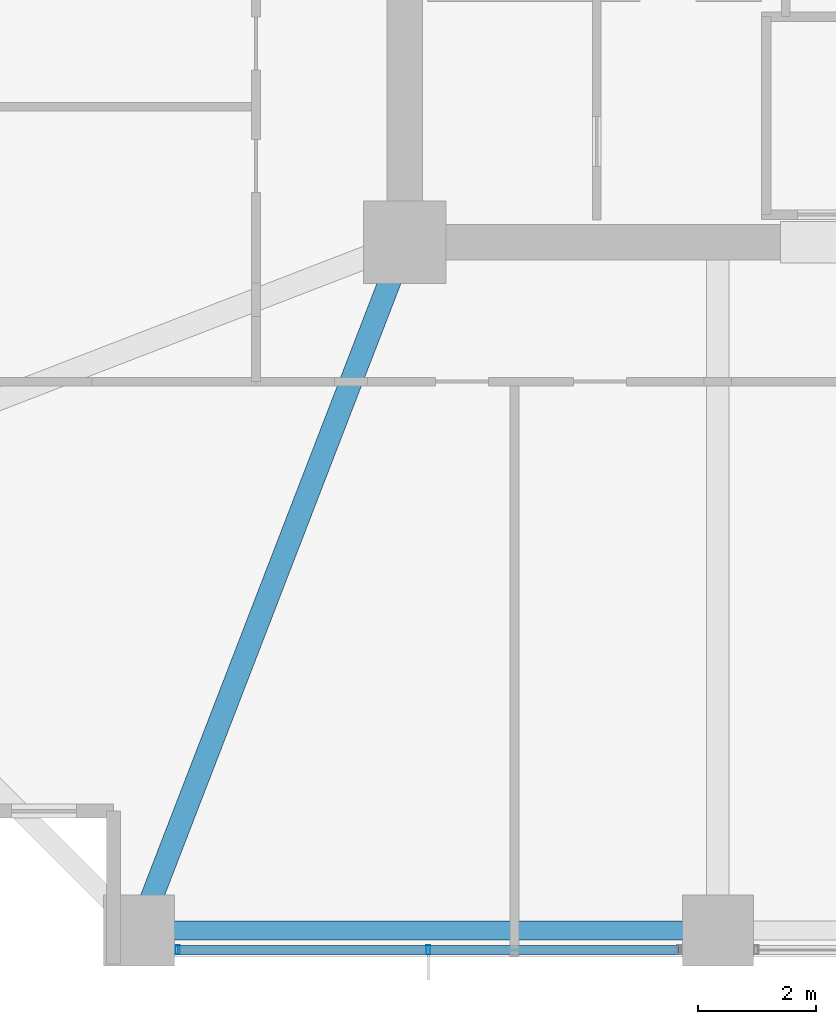
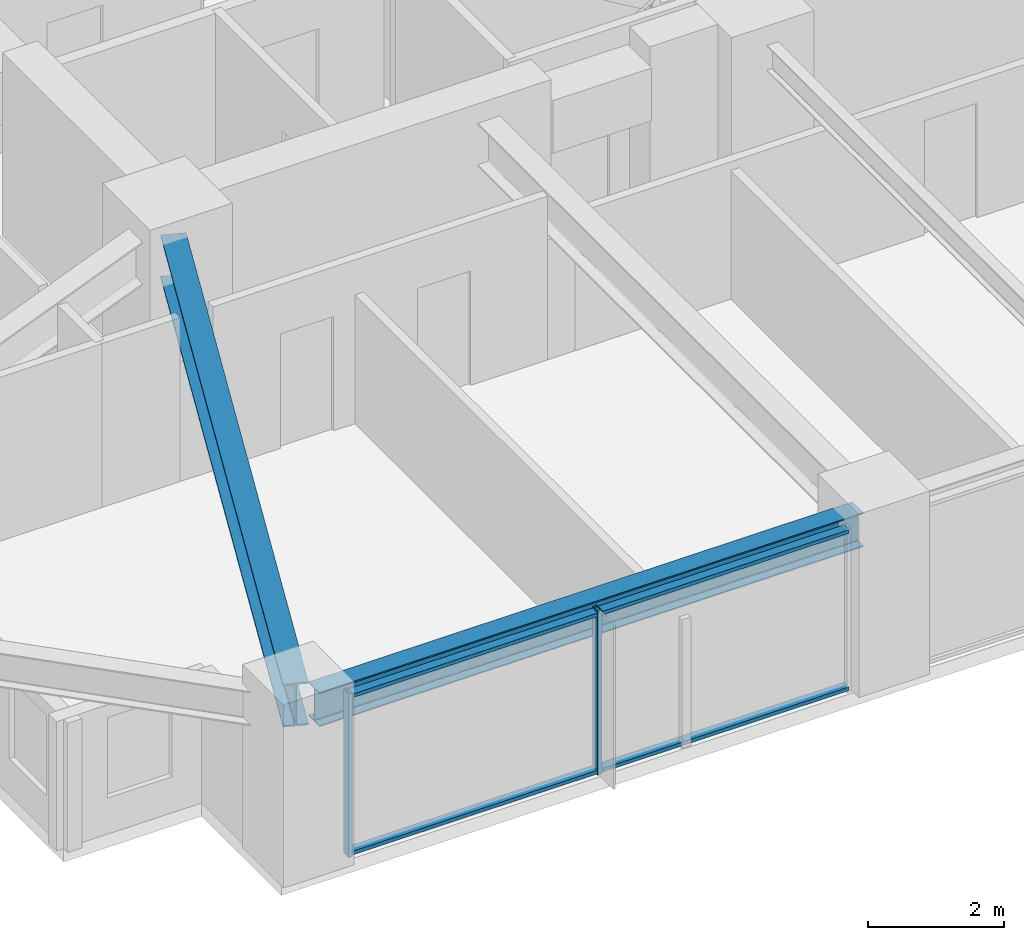
# One storey, part 2 of 38: 4 members, 2 beams, 1 element without a shape of its own.
"""IFC4 building model written with IfcOpenShell, lengths in metres."""

from ifc_helpers import new_model, si_unit, direction, frame, origin, origin_2d, place, context, subcontext, project, spatial, hollow_rectangle, i_section, extrude, material, material_profile, profile_set, type_object, element, aggregate, save


model = new_model("IFC4")

# Units and contexts
model_context = context("Model", 3, precision=1e-05, world=origin(), true_north=direction((0.0, 1.0)))
body_context = subcontext(model_context, "Body", "Model", "MODEL_VIEW")
ifc_project = project(units=[si_unit("LENGTHUNIT", "METRE"), si_unit("AREAUNIT", "SQUARE_METRE"), si_unit("VOLUMEUNIT", "CUBIC_METRE"), si_unit("PLANEANGLEUNIT", "RADIAN"), si_unit("MASSUNIT", "GRAM", prefix="KILO")], contexts=[model_context])

# Site, building, storey
site_placement = place(None, origin())
site = spatial("IfcSite", under=ifc_project, at=site_placement, CompositionType="ELEMENT")
building_placement = place(site_placement, origin())
building = spatial("IfcBuilding", under=site, at=building_placement, Name="Kolvaren Belvedere", CompositionType="ELEMENT")
storey_placement = place(building_placement, frame((0.0, 0.0, 60.10009765625)))
storey = spatial("IfcBuildingStorey", under=building, at=storey_placement, Name="L17", CompositionType="ELEMENT", Elevation=60.10009765625)

# Beams
ifc_material_1 = material(Name="Structural steel ASTM A992 Grade 50", Category="steel")
ifc_material_profile_1 = material_profile(ifc_material_1, i_section(OverallWidth=0.381103515625, OverallDepth=0.77294921875, WebThickness=0.0166015625, FlangeThickness=0.027099609375, FilletRadius=0.02392578125, at=origin_2d()), Name="W30X173")
ifc_profile_set_1 = profile_set([ifc_material_profile_1], Name="Structural steel ASTM A992 Grade 50")
beam_type_1 = type_object("IfcBeamType", Name="BM-GIRD-W30X173", PredefinedType="BEAM", material=ifc_profile_set_1)
beam_1_placement = place(storey_placement, frame((-10.09814453125, -10.4130859375, 2.5634765625), z_axis=(-0.360318391835, -0.932829382313, 0.0), x_axis=(0.932829382313, -0.360318391835, 0.0)))
element("IfcBeam", 1, at=beam_1_placement, inside=storey, type_object=beam_type_1, Name="L17 Corner Core-to-Perimeter Girder CC1-S1", PredefinedType="BEAM", context=body_context, shape_type="SweptSolid", body=[
    extrude(i_section(OverallWidth=0.381103515625, OverallDepth=0.77294921875, WebThickness=0.0166015625, FlangeThickness=0.027099609375, FilletRadius=0.02392578125, at=origin_2d()), origin(), (0.0, 0.0, 1.0), 11.698974609375),
])
ifc_material_2 = material(Name="Structural steel ASTM A992 Grade 50", Category="steel")
ifc_material_profile_2 = material_profile(ifc_material_2, i_section(OverallWidth=0.324951171875, OverallDepth=0.615966796875, WebThickness=0.013916015625, FlangeThickness=0.021484375, FilletRadius=0.02001953125, at=origin_2d()), Name="W24X117")
ifc_profile_set_2 = profile_set([ifc_material_profile_2], Name="Structural steel ASTM A992 Grade 50")
beam_type_2 = type_object("IfcBeamType", Name="BM-SPAN-W24X117", PredefinedType="SPANDREL", material=ifc_profile_set_2)
beam_2_placement = place(storey_placement, frame((-14.1298828125, -21.550048828125, 2.641845703125), z_axis=(1.0, 0.0, 0.0), x_axis=(0.0, 1.0, 0.0)))
element("IfcBeam", 2, at=beam_2_placement, inside=storey, type_object=beam_type_2, Name="L17 Perimeter Spandrel S1-S2", PredefinedType="SPANDREL", context=body_context, shape_type="SweptSolid", body=[
    extrude(i_section(OverallWidth=0.324951171875, OverallDepth=0.615966796875, WebThickness=0.013916015625, FlangeThickness=0.021484375, FilletRadius=0.02001953125, at=origin_2d()), origin(), (0.0, 0.0, 1.0), 9.259765625),
])

# Curtain wall, members
ifc_material_3 = material(Name="Anodised pale-metal aluminium AA 6063-T6", Category="aluminium")
curtain_wall_type = type_object("IfcCurtainWallType", Name="CW-Z1-LOW", PredefinedType="NOTDEFINED", material=ifc_material_3)
curtain_wall_placement = place(storey_placement, origin())
curtain_wall = element("IfcCurtainWall", 3, at=curtain_wall_placement, inside=storey, type_object=curtain_wall_type, Name="L17 Unitised Curtain Wall FCW-L17-S-B3", PredefinedType="NOTDEFINED")
ifc_material_4 = material(Name="Anodised pale-metal aluminium AA 6063-T6", Category="aluminium")
ifc_material_profile_3 = material_profile(ifc_material_4, hollow_rectangle(XDim=0.070068359375, YDim=0.14990234375, WallThickness=0.004150390625, at=origin_2d()), Name="ALU-MUL-150X70")
ifc_profile_set_3 = profile_set([ifc_material_profile_3], Name="Anodised pale-metal aluminium AA 6063-T6")
member_type_1 = type_object("IfcMemberType", Name="CW-MUL-150", PredefinedType="MULLION", material=ifc_profile_set_3)
member_1_placement = place(storey_placement, frame((-9.5, -21.8798828125, 0.0), z_axis=(0.0, 0.0, 1.0), x_axis=(1.0, 0.0, 0.0)))
member_1 = element("IfcMember", 4, at=member_1_placement, type_object=member_type_1, Name="FCW-L17-S-B3 Unitised Mullion 2", PredefinedType="MULLION", context=body_context, shape_type="SweptSolid", body=[
    extrude(hollow_rectangle(XDim=0.070068359375, YDim=0.14990234375, WallThickness=0.004150390625, at=origin_2d()), origin(), (0.0, 0.0, 1.0), 2.949951171875),
])
member_2_placement = place(storey_placement, frame((-13.7451171875, -21.8798828125, 0.0), z_axis=(0.0, 0.0, 1.0), x_axis=(1.0, 0.0, 0.0)))
member_2 = element("IfcMember", 5, at=member_2_placement, type_object=member_type_1, Name="FCW-L17-S-B3 Unitised Mullion 3", PredefinedType="MULLION", context=body_context, shape_type="SweptSolid", body=[
    extrude(hollow_rectangle(XDim=0.070068359375, YDim=0.14990234375, WallThickness=0.004150390625, at=origin_2d()), origin(), (0.0, 0.0, 1.0), 2.949951171875),
])
ifc_material_5 = material(Name="Anodised pale-metal aluminium AA 6063-T6", Category="aluminium")
ifc_material_profile_4 = material_profile(ifc_material_5, hollow_rectangle(XDim=0.06494140625, YDim=0.14990234375, WallThickness=0.00390625, at=origin_2d()), Name="ALU-TRN-150X65")
ifc_profile_set_4 = profile_set([ifc_material_profile_4], Name="Anodised pale-metal aluminium AA 6063-T6")
member_type_2 = type_object("IfcMemberType", Name="CW-TRN-150", PredefinedType="USERDEFINED", material=ifc_profile_set_4)
member_3_placement = place(storey_placement, frame((-5.2548828125, -21.8798828125, 0.059814453125), z_axis=(-1.0, 0.0, 0.0), x_axis=(0.0, 0.0, 1.0)))
member_3 = element("IfcMember", 6, at=member_3_placement, type_object=member_type_2, Name="FCW-L17-S-B3 Sill Transom", ObjectType="TRANSOM", PredefinedType="USERDEFINED", context=body_context, shape_type="SweptSolid", body=[
    extrude(hollow_rectangle(XDim=0.06494140625, YDim=0.14990234375, WallThickness=0.00390625, at=origin_2d()), origin(), (0.0, 0.0, 1.0), 8.490234375),
])
member_4_placement = place(storey_placement, frame((-5.2548828125, -21.8798828125, 2.889892578125), z_axis=(-1.0, 0.0, 0.0), x_axis=(0.0, 0.0, 1.0)))
member_4 = element("IfcMember", 7, at=member_4_placement, type_object=member_type_2, Name="FCW-L17-S-B3 Head Transom", ObjectType="TRANSOM", PredefinedType="USERDEFINED", context=body_context, shape_type="SweptSolid", body=[
    extrude(hollow_rectangle(XDim=0.06494140625, YDim=0.14990234375, WallThickness=0.00390625, at=origin_2d()), origin(), (0.0, 0.0, 1.0), 8.490234375),
])
aggregate(curtain_wall, [member_1, member_2, member_3, member_4])

save(model, "model.ifc")
